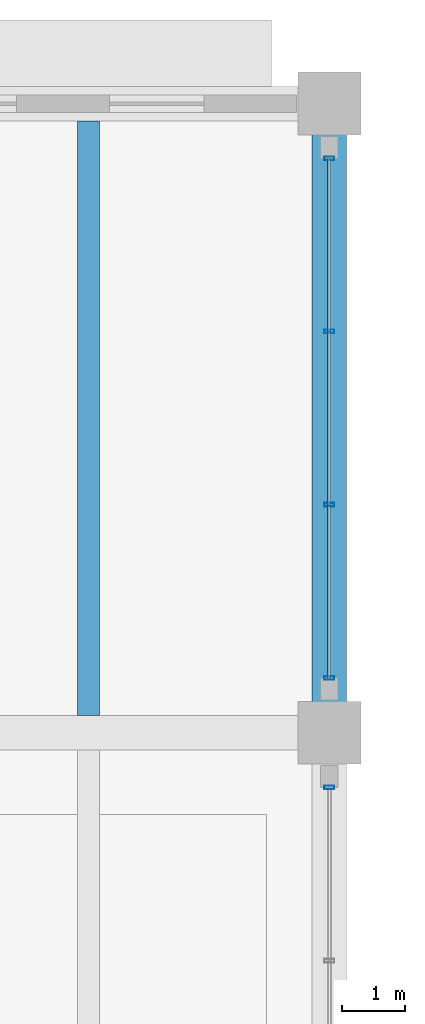
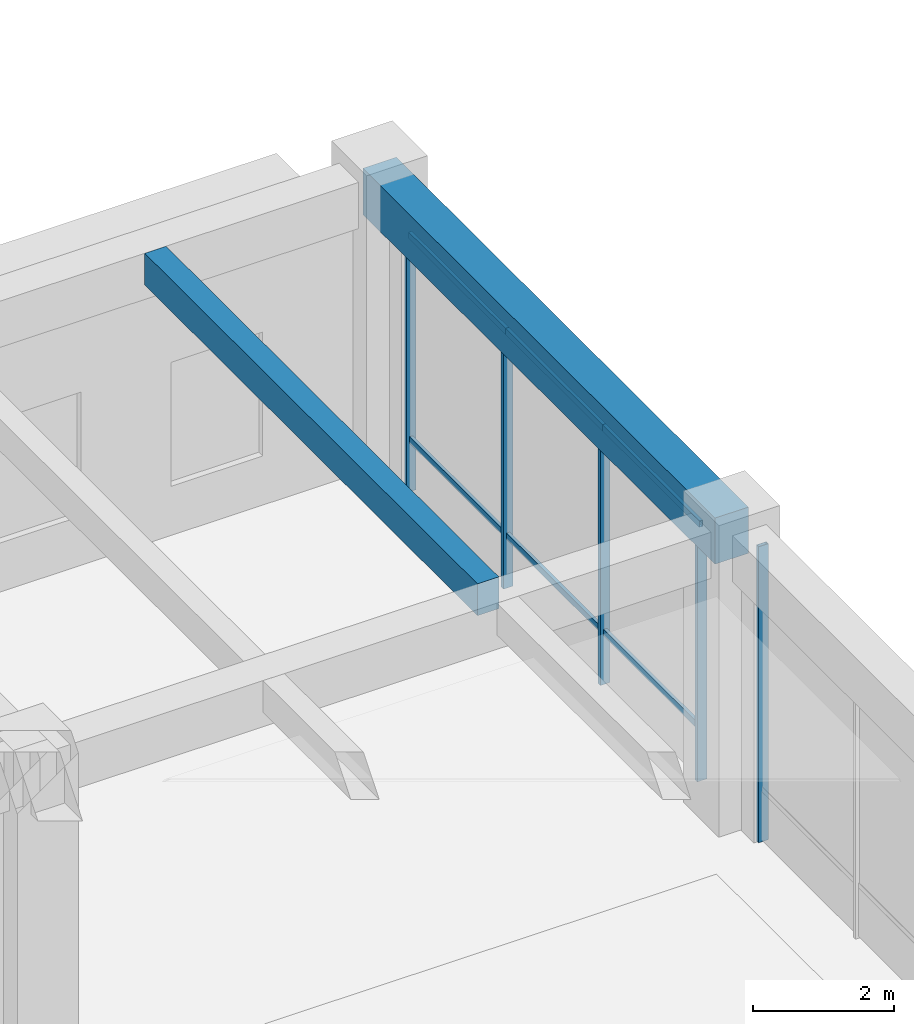
# One storey, part 80 of 148: 11 members, 2 beams, 2 elements without a shape of their own.
"""IFC4 building model written with IfcOpenShell, lengths in metres."""

from ifc_helpers import new_model, si_unit, direction, frame, origin, origin_2d, place, context, subcontext, project, spatial, rectangle, hollow_rectangle, extrude, material, material_profile, profile_set, type_object, element, aggregate, save


model = new_model("IFC4")

# Units and contexts
model_context = context("Model", 3, precision=1e-05, world=origin(), true_north=direction((0.0, 1.0)))
body_context = subcontext(model_context, "Body", "Model", "MODEL_VIEW")
ifc_project = project(units=[si_unit("LENGTHUNIT", "METRE"), si_unit("AREAUNIT", "SQUARE_METRE"), si_unit("VOLUMEUNIT", "CUBIC_METRE"), si_unit("PLANEANGLEUNIT", "RADIAN"), si_unit("MASSUNIT", "GRAM", prefix="KILO")], contexts=[model_context])

# Site, building, storey
site_placement = place(None, origin())
site = spatial("IfcSite", under=ifc_project, at=site_placement, CompositionType="ELEMENT")
building_placement = place(site_placement, origin())
building = spatial("IfcBuilding", under=site, at=building_placement, Name="Ologun Quay Terminus", CompositionType="ELEMENT")
storey_placement = place(building_placement, frame((0.0, 0.0, 8.39990234375)))
storey = spatial("IfcBuildingStorey", under=building, at=storey_placement, Name="L02", CompositionType="ELEMENT", Elevation=8.39990234375)

# Curtain wall, member
ifc_material_1 = material(Name="Aluminium 6063-T6", Category="aluminium")
curtain_wall_type = type_object("IfcCurtainWallType", Name="Rain-Garden West Courtyard Curtain Wall L02 8200x5000", PredefinedType="USERDEFINED", material=ifc_material_1)
curtain_wall_1_placement = place(storey_placement, origin())
curtain_wall_1 = element("IfcCurtainWall", 1, at=curtain_wall_1_placement, inside=storey, type_object=curtain_wall_type, Name="CW-15 Curtain Wall CW-L02-106", ObjectType="UNITISED CURTAIN WALL", PredefinedType="USERDEFINED")
ifc_material_2 = material(Name="Aluminium 6063-T6", Category="aluminium")
ifc_material_profile_1 = material_profile(ifc_material_2, hollow_rectangle(XDim=0.06005859375, YDim=0.159912109375, WallThickness=0.00390625, at=origin_2d()), Name="ALU 160x60x4")
ifc_profile_set_1 = profile_set([ifc_material_profile_1], Name="Aluminium 6063-T6")
member_type_1 = type_object("IfcMemberType", Name="Courtyard Screen Mullion 160x65", PredefinedType="MULLION", material=ifc_profile_set_1)
member_1_placement = place(storey_placement, frame((69.0, 103.929931640625, 0.0), z_axis=(0.0, 0.0, 1.0), x_axis=(0.0, 1.0, 0.0)))
member_1 = element("IfcMember", 2, at=member_1_placement, type_object=member_type_1, Name="CW-L02-106 Mullion 4", PredefinedType="MULLION", context=body_context, shape_type="SweptSolid", body=[
    extrude(hollow_rectangle(XDim=0.06005859375, YDim=0.159912109375, WallThickness=0.00390625, at=origin_2d()), origin(), (0.0, 0.0, 1.0), 5.130126953125),
])
aggregate(curtain_wall_1, [member_1])

# Curtain wall, members
curtain_wall_2_placement = place(storey_placement, origin())
curtain_wall_2 = element("IfcCurtainWall", 3, at=curtain_wall_2_placement, inside=storey, type_object=curtain_wall_type, Name="CW-15 Curtain Wall CW-L02-107", ObjectType="UNITISED CURTAIN WALL", PredefinedType="USERDEFINED")
member_2_placement = place(storey_placement, frame((69.0, 105.669921875, 0.0), z_axis=(0.0, 0.0, 1.0), x_axis=(0.0, 1.0, 0.0)))
member_2 = element("IfcMember", 4, at=member_2_placement, type_object=member_type_1, Name="CW-L02-107 Mullion 1", PredefinedType="MULLION", context=body_context, shape_type="SweptSolid", body=[
    extrude(hollow_rectangle(XDim=0.06005859375, YDim=0.159912109375, WallThickness=0.00390625, at=origin_2d()), origin(), (0.0, 0.0, 1.0), 5.130126953125),
])
member_3_placement = place(storey_placement, frame((69.0, 108.42333984375, 0.0), z_axis=(0.0, 0.0, 1.0), x_axis=(0.0, 1.0, 0.0)))
member_3 = element("IfcMember", 5, at=member_3_placement, type_object=member_type_1, Name="CW-L02-107 Mullion 2", PredefinedType="MULLION", context=body_context, shape_type="SweptSolid", body=[
    extrude(hollow_rectangle(XDim=0.06005859375, YDim=0.159912109375, WallThickness=0.00390625, at=origin_2d()), origin(), (0.0, 0.0, 1.0), 5.130126953125),
])
member_4_placement = place(storey_placement, frame((69.0, 111.1767578125, 0.0), z_axis=(0.0, 0.0, 1.0), x_axis=(0.0, 1.0, 0.0)))
member_4 = element("IfcMember", 6, at=member_4_placement, type_object=member_type_1, Name="CW-L02-107 Mullion 3", PredefinedType="MULLION", context=body_context, shape_type="SweptSolid", body=[
    extrude(hollow_rectangle(XDim=0.06005859375, YDim=0.159912109375, WallThickness=0.00390625, at=origin_2d()), origin(), (0.0, 0.0, 1.0), 5.130126953125),
])
member_5_placement = place(storey_placement, frame((69.0, 113.929931640625, 0.0), z_axis=(0.0, 0.0, 1.0), x_axis=(0.0, 1.0, 0.0)))
member_5 = element("IfcMember", 7, at=member_5_placement, type_object=member_type_1, Name="CW-L02-107 Mullion 4", PredefinedType="MULLION", context=body_context, shape_type="SweptSolid", body=[
    extrude(hollow_rectangle(XDim=0.06005859375, YDim=0.159912109375, WallThickness=0.00390625, at=origin_2d()), origin(), (0.0, 0.0, 1.0), 5.130126953125),
])
ifc_material_3 = material(Name="Aluminium 6063-T6", Category="aluminium")
ifc_material_profile_2 = material_profile(ifc_material_3, hollow_rectangle(XDim=0.054931640625, YDim=0.110107421875, WallThickness=0.00390625, at=origin_2d()), Name="ALU 110x55x4")
ifc_profile_set_2 = profile_set([ifc_material_profile_2], Name="Aluminium 6063-T6")
member_type_2 = type_object("IfcMemberType", Name="Courtyard Screen Transom 110x55", PredefinedType="USERDEFINED", material=ifc_profile_set_2)
member_6_placement = place(storey_placement, frame((69.0, 105.669921875, 0.900146484375), z_axis=(0.0, 1.0, 0.0), x_axis=(-1.0, 0.0, 0.0)))
member_6 = element("IfcMember", 8, at=member_6_placement, type_object=member_type_2, Name="CW-L02-107 Transom B1-1", ObjectType="TRANSOM", PredefinedType="USERDEFINED", context=body_context, shape_type="SweptSolid", body=[
    extrude(hollow_rectangle(XDim=0.054931640625, YDim=0.110107421875, WallThickness=0.00390625, at=origin_2d()), origin(), (0.0, 0.0, 1.0), 2.75341796875),
])
member_7_placement = place(storey_placement, frame((69.0, 105.669921875, 4.43017578125), z_axis=(0.0, 1.0, 0.0), x_axis=(-1.0, 0.0, 0.0)))
member_7 = element("IfcMember", 9, at=member_7_placement, type_object=member_type_2, Name="CW-L02-107 Transom B1-2", ObjectType="TRANSOM", PredefinedType="USERDEFINED", context=body_context, shape_type="SweptSolid", body=[
    extrude(hollow_rectangle(XDim=0.054931640625, YDim=0.110107421875, WallThickness=0.00390625, at=origin_2d()), origin(), (0.0, 0.0, 1.0), 2.75341796875),
])
member_8_placement = place(storey_placement, frame((69.0, 108.42333984375, 0.900146484375), z_axis=(0.0, 1.0, 0.0), x_axis=(-1.0, 0.0, 0.0)))
member_8 = element("IfcMember", 10, at=member_8_placement, type_object=member_type_2, Name="CW-L02-107 Transom B2-1", ObjectType="TRANSOM", PredefinedType="USERDEFINED", context=body_context, shape_type="SweptSolid", body=[
    extrude(hollow_rectangle(XDim=0.054931640625, YDim=0.110107421875, WallThickness=0.00390625, at=origin_2d()), origin(), (0.0, 0.0, 1.0), 2.75341796875),
])
member_9_placement = place(storey_placement, frame((69.0, 108.42333984375, 4.43017578125), z_axis=(0.0, 1.0, 0.0), x_axis=(-1.0, 0.0, 0.0)))
member_9 = element("IfcMember", 11, at=member_9_placement, type_object=member_type_2, Name="CW-L02-107 Transom B2-2", ObjectType="TRANSOM", PredefinedType="USERDEFINED", context=body_context, shape_type="SweptSolid", body=[
    extrude(hollow_rectangle(XDim=0.054931640625, YDim=0.110107421875, WallThickness=0.00390625, at=origin_2d()), origin(), (0.0, 0.0, 1.0), 2.75341796875),
])
member_10_placement = place(storey_placement, frame((69.0, 111.1767578125, 0.900146484375), z_axis=(0.0, 1.0, 0.0), x_axis=(-1.0, 0.0, 0.0)))
member_10 = element("IfcMember", 12, at=member_10_placement, type_object=member_type_2, Name="CW-L02-107 Transom B3-1", ObjectType="TRANSOM", PredefinedType="USERDEFINED", context=body_context, shape_type="SweptSolid", body=[
    extrude(hollow_rectangle(XDim=0.054931640625, YDim=0.110107421875, WallThickness=0.00390625, at=origin_2d()), origin(), (0.0, 0.0, 1.0), 2.753173828125),
])
member_11_placement = place(storey_placement, frame((69.0, 111.1767578125, 4.43017578125), z_axis=(0.0, 1.0, 0.0), x_axis=(-1.0, 0.0, 0.0)))
member_11 = element("IfcMember", 13, at=member_11_placement, type_object=member_type_2, Name="CW-L02-107 Transom B3-2", ObjectType="TRANSOM", PredefinedType="USERDEFINED", context=body_context, shape_type="SweptSolid", body=[
    extrude(hollow_rectangle(XDim=0.054931640625, YDim=0.110107421875, WallThickness=0.00390625, at=origin_2d()), origin(), (0.0, 0.0, 1.0), 2.753173828125),
])
aggregate(curtain_wall_2, [member_2, member_3, member_4, member_5, member_6, member_7, member_8, member_9, member_10, member_11])

# Beams
ifc_material_4 = material(Name="Concrete C40/50", Category="concrete")
ifc_material_profile_3 = material_profile(ifc_material_4, rectangle(XDim=0.550048828125, YDim=0.800048828125, at=origin_2d()), Name="RC 550x800")
ifc_profile_set_3 = profile_set([ifc_material_profile_3], Name="Concrete C40/50")
beam_type_1 = type_object("IfcBeamType", Name="Courtyard Wing Primary Girder 550x800", PredefinedType="BEAM", material=ifc_profile_set_3)
beam_1_placement = place(storey_placement, frame((69.0, 104.800048828125, 4.75), z_axis=(0.0, 1.0, 0.0), x_axis=(-1.0, 0.0, 0.0)))
element("IfcBeam", 14, at=beam_1_placement, inside=storey, type_object=beam_type_1, Name="B4 Beam 7/J L02", PredefinedType="BEAM", context=body_context, shape_type="SweptSolid", body=[
    extrude(rectangle(XDim=0.550048828125, YDim=0.800048828125, at=origin_2d()), origin(), (0.0, 0.0, 1.0), 10.0),
])
ifc_material_5 = material(Name="Concrete C40/50", Category="concrete")
ifc_material_profile_4 = material_profile(ifc_material_5, rectangle(XDim=0.35009765625, YDim=0.550048828125, at=origin_2d()), Name="RC 350x550")
ifc_profile_set_4 = profile_set([ifc_material_profile_4], Name="Concrete C40/50")
beam_type_2 = type_object("IfcBeamType", Name="Courtyard Wing Secondary Joist 350x550", PredefinedType="JOIST", material=ifc_profile_set_4)
beam_2_placement = place(storey_placement, frame((65.166748046875, 105.074951171875, 4.875), z_axis=(0.0, 1.0, 0.0), x_axis=(-1.0, 0.0, 0.0)))
element("IfcBeam", 15, at=beam_2_placement, inside=storey, type_object=beam_type_2, Name="J2 Beam 6/J L02", PredefinedType="JOIST", context=body_context, shape_type="SweptSolid", body=[
    extrude(rectangle(XDim=0.35009765625, YDim=0.550048828125, at=origin_2d()), origin(), (0.0, 0.0, 1.0), 9.449951171875),
])

save(model, "model.ifc")
